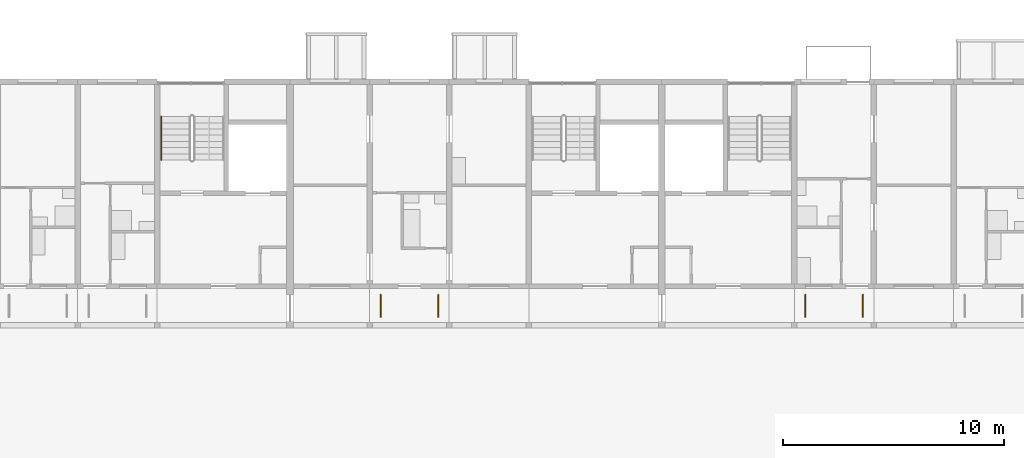
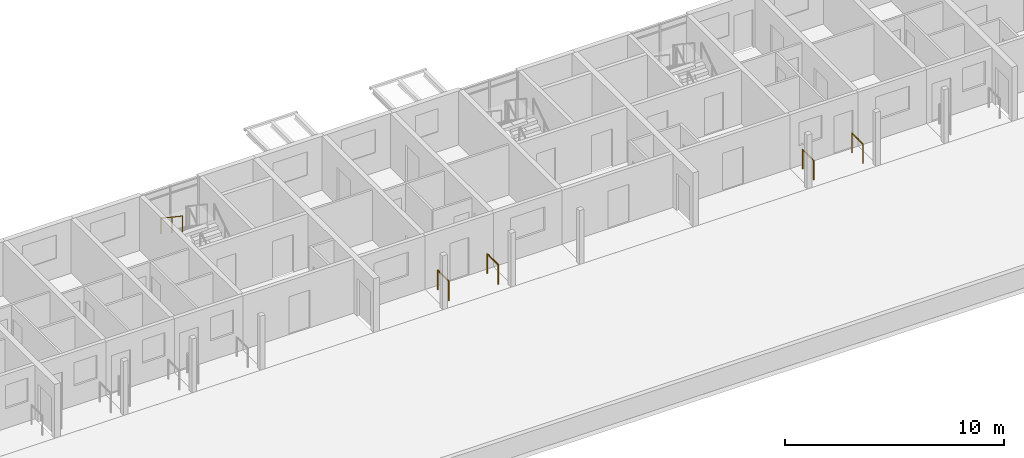
# One storey, part 106 of 115: 5 railings.
"""IFC4 building model written with IfcOpenShell, lengths in metres."""

from ifc_helpers import new_model, si_unit, direction, frame, origin, origin_2d, place, context, subcontext, project, spatial, circle, extrude, material, type_object, element, save


model = new_model("IFC4")

# Units and contexts
model_context = context("Model", 3, precision=1e-05, world=origin(), true_north=direction((0.0, 1.0)))
body_context = subcontext(model_context, "Body", "Model", "MODEL_VIEW")
ifc_project = project(units=[si_unit("LENGTHUNIT", "METRE"), si_unit("AREAUNIT", "SQUARE_METRE"), si_unit("VOLUMEUNIT", "CUBIC_METRE"), si_unit("PLANEANGLEUNIT", "RADIAN"), si_unit("MASSUNIT", "GRAM", prefix="KILO")], contexts=[model_context])

# Site, building, storey
site_placement = place(None, origin())
site = spatial("IfcSite", under=ifc_project, at=site_placement, CompositionType="ELEMENT")
building_placement = place(site_placement, origin())
building = spatial("IfcBuilding", under=site, at=building_placement, Name="Ridgestep Commons", CompositionType="ELEMENT")
storey_placement = place(building_placement, frame((0.0, 0.0, 6.0)))
storey = spatial("IfcBuildingStorey", under=building, at=storey_placement, Name="L02", CompositionType="ELEMENT", Elevation=6.0)

# Railings
ifc_material_1 = material(Name="Structural steel S355JR", Category="steel")
railing_type_1 = type_object("IfcRailingType", Name="Guard 1100", PredefinedType="GUARDRAIL", material=ifc_material_1)
for number, where, name in (
    (1, (201.300048828125, 12.25, 0.0), "Gallery side guard D 02.14W"),
    (2, (203.89990234375, 12.25, 0.0), "Gallery side guard D 02.14E"),
    (3, (220.5, 12.25, 0.0), "Gallery side guard D 02.18W"),
    (4, (223.10009765625, 12.25, 0.0), "Gallery side guard D 02.18E"),
):
    element("IfcRailing", number, at=place(storey_placement, frame(where)), inside=storey, type_object=railing_type_1, Name=name, PredefinedType="GUARDRAIL", context=body_context, shape_type="SweptSolid", body=[
        extrude(circle(Radius=0.02392578125, at=origin_2d()), frame((0.0, 0.0, 1.076171875), z_axis=(0.0, 1.0, 0.0), x_axis=(-1.0, 0.0, 0.0)), (0.0, 0.0, 1.0), 1.0),
        extrude(circle(Radius=0.02099609375, at=origin_2d()), origin(), (0.0, 0.0, 1.0), 1.052001953125),
        extrude(circle(Radius=0.02099609375, at=origin_2d()), frame((0.0, 1.0, 0.0)), (0.0, 0.0, 1.0), 1.052001953125),
    ])
ifc_material_2 = material(Name="Structural steel S355JR", Category="steel")
railing_type_2 = type_object("IfcRailingType", Name="Stair handrail 900", PredefinedType="HANDRAIL", material=ifc_material_2)
railing_placement = place(storey_placement, frame((191.375, 21.31005859375, 1.6875)))
element("IfcRailing", 5, at=railing_placement, inside=storey, type_object=railing_type_2, Name="L02 D3C stair handrail 2", PredefinedType="HANDRAIL", context=body_context, shape_type="SweptSolid", body=[
    extrude(circle(Radius=0.02392578125, at=origin_2d()), frame((0.0, 0.0, 0.8759765625), z_axis=(0.0, -0.830902050051, 0.556418712142), x_axis=(1.0, 0.0, 0.0)), (0.0, 0.0, 1.0), 2.35888671875),
    extrude(circle(Radius=0.02099609375, at=origin_2d()), origin(), (0.0, 0.0, 1.0), 0.851806640625),
    extrude(circle(Radius=0.02099609375, at=origin_2d()), frame((0.0, -0.97998046875, 0.65625)), (0.0, 0.0, 1.0), 0.851806640625),
    extrude(circle(Radius=0.02099609375, at=origin_2d()), frame((0.0, -1.9599609375, 1.3125)), (0.0, 0.0, 1.0), 0.851806640625),
])

save(model, "model.ifc")
